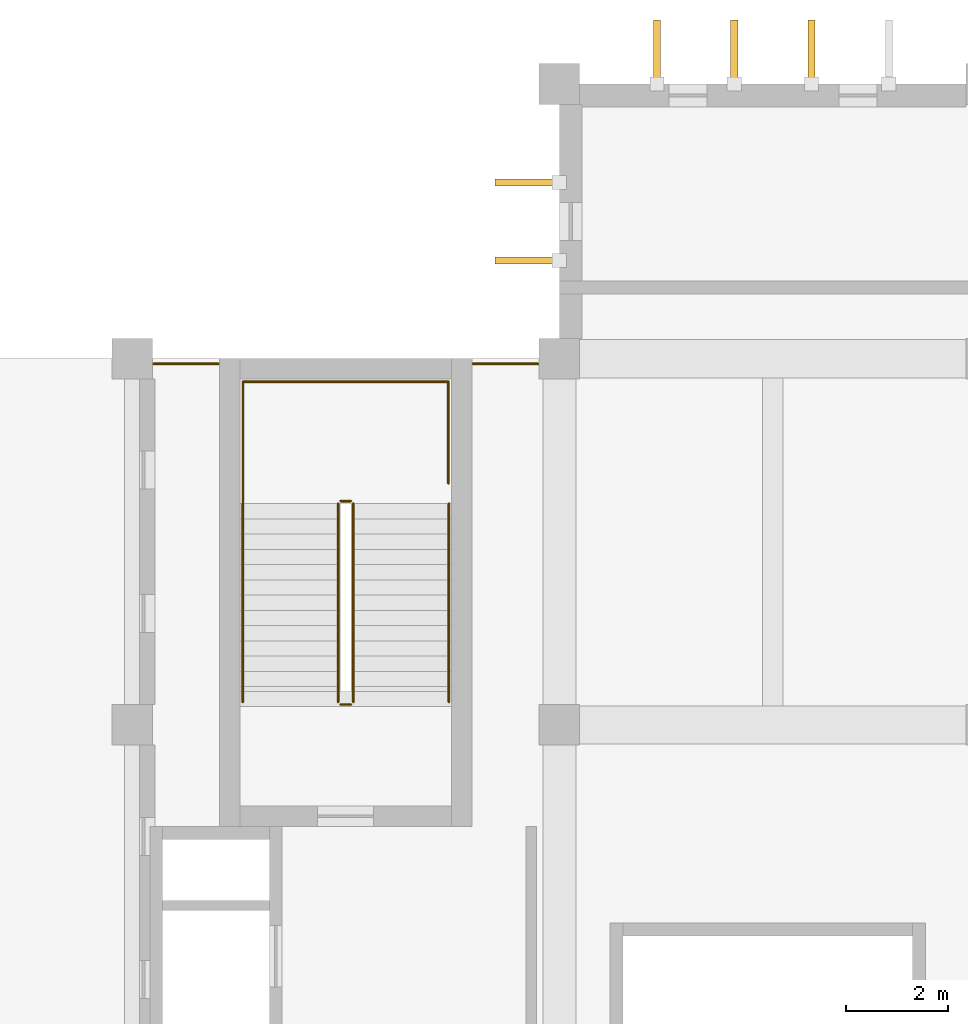
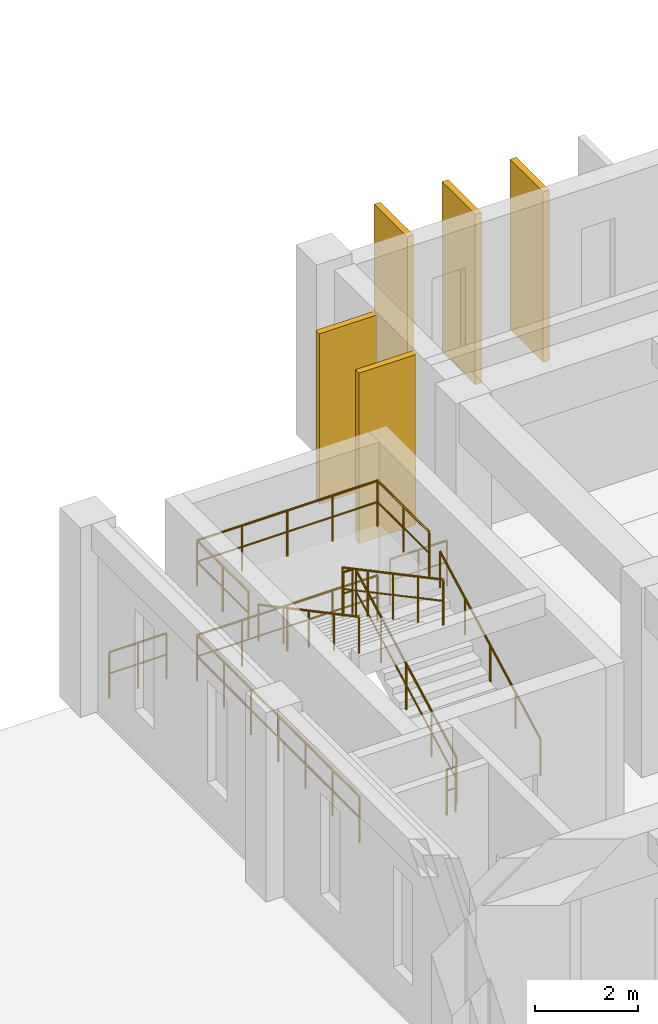
# One storey, part 37 of 40: 10 railings, 5 shading devices.
"""IFC4 building model written with IfcOpenShell, lengths in metres."""

import ifcopenshell
import ifcopenshell.guid

model = None  # the IFC model being written
_history = None  # IfcOwnerHistory: only IFC2X3 demands one
_inside = {}  # id of a spatial element -> (the spatial element, [elements in it])
_under = {}  # id of a project, library or spatial element -> (it, [spatial elements below it])
_declared = {}  # id of a project -> (the project, [libraries it declares])
_typed = {}  # id of a type object -> (the type object, [elements of that type])
_made_of = {}  # id of a material, layer set ... -> (it, [elements and type objects made of it])


def new_model(schema):
    """Start an empty IFC model of exactly this schema.

    Asked for "IFC4X3", IfcOpenShell would pick the latest addendum, in which some entities
    have other attributes; the version numbers below select the first issue.
    IFC2X3 requires an IfcOwnerHistory on every rooted entity: one is made here for all.
    """
    global model, _history
    if schema == "IFC4X3":
        model = ifcopenshell.file(schema_version=(4, 3, 0, 0))
    else:
        model = ifcopenshell.file(schema=schema)
    _inside.clear()
    _under.clear()
    _declared.clear()
    _typed.clear()
    _made_of.clear()
    _history = None
    if model.schema == "IFC2X3":
        org = make("IfcOrganization", Name="unknown")
        user = make(
            "IfcPersonAndOrganization",
            ThePerson=make("IfcPerson", FamilyName="unknown"),
            TheOrganization=org,
        )
        app = make(
            "IfcApplication",
            ApplicationDeveloper=org,
            Version="unknown",
            ApplicationFullName="unknown",
            ApplicationIdentifier="unknown",
        )
        _history = make(
            "IfcOwnerHistory",
            OwningUser=user,
            OwningApplication=app,
            ChangeAction="ADDED",
            CreationDate=0,
        )
    return model


def make(cls, **values):
    """One entity of the class cls with the attributes given. An attribute that is None is left unset."""
    return model.create_entity(
        cls, **{name: value for name, value in values.items() if value is not None}
    )


def rooted(cls, **values):
    """An entity with a GlobalId (a new one), such as an element, a storey or a relation."""
    return make(cls, GlobalId=ifcopenshell.guid.new(), OwnerHistory=_history, **values)


def si_unit(unit_type, name, prefix=None):
    """IfcSIUnit, for example si_unit("LENGTHUNIT", "METRE", prefix="MILLI")."""
    return make("IfcSIUnit", UnitType=unit_type, Prefix=prefix, Name=name)


def assignment(units):
    """IfcUnitAssignment: the units of a project."""
    return None if units is None else make("IfcUnitAssignment", Units=units)


def point(xyz):
    """IfcCartesianPoint."""
    return None if xyz is None else make("IfcCartesianPoint", Coordinates=xyz)


def direction(xyz):
    """IfcDirection."""
    return None if xyz is None else make("IfcDirection", DirectionRatios=xyz)


def frame(location, z_axis=None, x_axis=None):
    """IfcAxis2Placement3D, a coordinate frame: its origin and axes. An axis left out is left unset."""
    return make(
        "IfcAxis2Placement3D",
        Location=point(location),
        Axis=direction(z_axis),
        RefDirection=direction(x_axis),
    )


def frame_2d(location, x_axis=None):
    """IfcAxis2Placement2D, a coordinate frame in the plane: its origin and x axis."""
    return make(
        "IfcAxis2Placement2D", Location=point(location), RefDirection=direction(x_axis)
    )


def origin():
    """The frame at (0, 0, 0) with its axes left unset."""
    return frame((0.0, 0.0, 0.0))


def origin_2d():
    """The frame at (0, 0) in the plane with its x axis left unset."""
    return frame_2d((0.0, 0.0))


def place(relative_to, where):
    """IfcLocalPlacement: puts the frame where relative to a parent placement (None: the world)."""
    return make(
        "IfcLocalPlacement", PlacementRelTo=relative_to, RelativePlacement=where
    )


def context(
    kind, dimensions, precision=None, world=None, true_north=None, identifier=None
):
    """IfcGeometricRepresentationContext, for example the 3D "Model" context."""
    return make(
        "IfcGeometricRepresentationContext",
        ContextIdentifier=identifier,
        ContextType=kind,
        CoordinateSpaceDimension=dimensions,
        Precision=precision,
        WorldCoordinateSystem=world,
        TrueNorth=true_north,
    )


def subcontext(parent, identifier, kind, view, scale=None):
    """IfcGeometricRepresentationSubContext, for example "Body" below "Model"."""
    return make(
        "IfcGeometricRepresentationSubContext",
        ContextIdentifier=identifier,
        ContextType=kind,
        ParentContext=parent,
        TargetScale=scale,
        TargetView=view,
    )


def project(units=None, contexts=None):
    """IfcProject with its units and contexts."""
    return rooted(
        "IfcProject",
        Name="project",
        RepresentationContexts=contexts,
        UnitsInContext=assignment(units),
    )


def spatial(cls, under=None, at=None, **own):
    """A site, building, storey or space (cls), placed at a placement, below another one or the project."""
    s = rooted(cls, ObjectPlacement=at, **own)
    if under is not None:
        _under.setdefault(under.id(), (under, []))[1].append(s)
    return s


def profile(cls, at=None, kind="AREA", **sizes):
    """A parametric profile (cls). Its sizes go by their IFC names, for example OverallWidth=200.0."""
    return make(cls, ProfileType=kind, Position=at, **sizes)


def rectangle(**sizes):
    """IfcRectangleProfileDef."""
    return profile("IfcRectangleProfileDef", **sizes)


def circle(**sizes):
    """IfcCircleProfileDef."""
    return profile("IfcCircleProfileDef", **sizes)


def extrude(swept, where, along, depth):
    """IfcExtrudedAreaSolid: the profile swept, set in the frame where, extruded along a direction by depth."""
    return make(
        "IfcExtrudedAreaSolid",
        SweptArea=swept,
        Position=where,
        ExtrudedDirection=direction(along),
        Depth=depth,
    )


def shape(context_of_items, identifier, shape_type, items):
    """IfcShapeRepresentation: the items that make up one representation, for example the "Body"."""
    return make(
        "IfcShapeRepresentation",
        ContextOfItems=context_of_items,
        RepresentationIdentifier=identifier,
        RepresentationType=shape_type,
        Items=items,
    )


def material(Name=None, Category=None):
    """IfcMaterial."""
    return make("IfcMaterial", Name=Name, Category=Category)


def made_of(thing, what):
    """Note that an element or type object is made of a material, layer set ...; save() writes the relation."""
    if what is not None:
        _made_of.setdefault(what.id(), (what, []))[1].append(thing)
    return thing


def type_object(cls, material=None, **own):
    """A type object (cls), such as IfcWallType, which elements share."""
    return made_of(rooted(cls, **own), material)


def element(
    cls,
    number,
    at=None,
    inside=None,
    cuts=None,
    type_object=None,
    material=None,
    context=None,
    identifier="Body",
    shape_type=None,
    held_by="IfcProductDefinitionShape",
    body=None,
    shapes=None,
    **own,
):
    """One element of the class cls, such as IfcWall. Its Tag is "e" and its number.

    at: its placement. inside: the storey or other place that contains it. cuts: it is an
    opening in that element (IfcRelVoidsElement). A single representation is given by context,
    identifier, shape_type and body (its items); several are given by shapes. held_by: the class
    of the entity that holds the representations. save() writes the other relations.
    """
    e = rooted(cls, Tag="e%d" % number, ObjectPlacement=at, **own)
    if body is not None:
        shapes = [shape(context, identifier, shape_type, body)]
    if shapes is not None:
        e.Representation = make(held_by, Representations=shapes)
    if inside is not None:
        _inside.setdefault(inside.id(), (inside, []))[1].append(e)
    if cuts is not None:
        rooted(
            "IfcRelVoidsElement", RelatingBuildingElement=cuts, RelatedOpeningElement=e
        )
    if type_object is not None:
        _typed.setdefault(type_object.id(), (type_object, []))[1].append(e)
    return made_of(e, material)


def aggregate(whole, parts):
    """IfcRelAggregates: a whole, such as a stair, and the parts it consists of."""
    return rooted("IfcRelAggregates", RelatingObject=whole, RelatedObjects=parts)


def save(model, path):
    """Write the relations noted so far, then the file.

    IfcRelAggregates (storeys below a building ...), IfcRelContainedInSpatialStructure (elements
    in a storey), IfcRelDefinesByType, IfcRelAssociatesMaterial and IfcRelDeclares: one each for
    every whole, place, type object, material and project.
    """
    for whole, parts in _under.values():
        aggregate(whole, parts)
    for where, things in _inside.values():
        rooted(
            "IfcRelContainedInSpatialStructure",
            RelatedElements=things,
            RelatingStructure=where,
        )
    for kind, things in _typed.values():
        rooted("IfcRelDefinesByType", RelatedObjects=things, RelatingType=kind)
    for what, things in _made_of.values():
        rooted("IfcRelAssociatesMaterial", RelatedObjects=things, RelatingMaterial=what)
    for by, libraries in _declared.values():
        rooted("IfcRelDeclares", RelatingContext=by, RelatedDefinitions=libraries)
    model.write(path)


model = new_model("IFC4")

# Units and contexts
model_context = context("Model", 3, precision=1e-05, world=origin(), true_north=direction((0.0, 1.0)))
body_context = subcontext(model_context, "Body", "Model", "MODEL_VIEW")
ifc_project = project(units=[si_unit("LENGTHUNIT", "METRE"), si_unit("AREAUNIT", "SQUARE_METRE"), si_unit("VOLUMEUNIT", "CUBIC_METRE"), si_unit("PLANEANGLEUNIT", "RADIAN"), si_unit("MASSUNIT", "GRAM", prefix="KILO")], contexts=[model_context])

# Site, building, storey
site_placement = place(None, origin())
site = spatial("IfcSite", under=ifc_project, at=site_placement, CompositionType="ELEMENT")
building_placement = place(site_placement, origin())
building = spatial("IfcBuilding", under=site, at=building_placement, Name="Kenerak Square Central Library", CompositionType="ELEMENT")
storey_placement = place(building_placement, frame((0.0, 0.0, 14.39990234375)))
storey = spatial("IfcBuildingStorey", under=building, at=storey_placement, Name="L03", CompositionType="ELEMENT", Elevation=14.39990234375)

# Shading devices
ifc_material_1 = material(Name="White precast concrete C40/50", Category="concrete")
shading_device_type = type_object("IfcShadingDeviceType", Name="Precast Vertical Solar Fin SF-1280 C40/50", PredefinedType="USERDEFINED", material=ifc_material_1)
for number, where, z_axis, x_axis, name in (
    (1, (66.179931640625, 112.333251953125, 0.10009765625), (0.0, 0.0, 1.0), (0.0, 1.0, 0.0), "Precast Solar Fin FIN-01 L03 0235"),
    (2, (66.179931640625, 113.86669921875, 0.10009765625), (0.0, 0.0, 1.0), (0.0, 1.0, 0.0), "Precast Solar Fin FIN-01 L03 0236"),
    (3, (68.719970703125, 116.419921875, 0.10009765625), (0.0, 0.0, 1.0), (1.0, 0.0, 0.0), "Precast Solar Fin FIN-01 L03 0237"),
    (4, (70.239990234375, 116.419921875, 0.10009765625), (0.0, 0.0, 1.0), (1.0, 0.0, 0.0), "Precast Solar Fin FIN-01 L03 0238"),
    (5, (71.760009765625, 116.419921875, 0.10009765625), (0.0, 0.0, 1.0), (1.0, 0.0, 0.0), "Precast Solar Fin FIN-01 L03 0239"),
):
    element("IfcShadingDevice", number, at=place(storey_placement, frame(where, z_axis=z_axis, x_axis=x_axis)), inside=storey, type_object=shading_device_type, Name=name, ObjectType="FIN", PredefinedType="USERDEFINED", context=body_context, shape_type="SweptSolid", body=[
        extrude(rectangle(XDim=0.139892578125, YDim=1.280029296875, at=origin_2d()), origin(), (0.0, 0.0, 1.0), 4.030029296875),
    ])

# Railings
ifc_material_2 = material(Name="Steel S355", Category="steel")
railing_type_1 = type_object("IfcRailingType", Name="Safety Guardrail GR-1100 S355", PredefinedType="GUARDRAIL", material=ifc_material_2)
railing_1_placement = place(storey_placement, frame((62.75, 103.64990234375, 0.16015625)))
element("IfcRailing", 6, at=railing_1_placement, inside=storey, type_object=railing_type_1, Name="L03 ST-01 stair guard 1", PredefinedType="GUARDRAIL", context=body_context, shape_type="SweptSolid", body=[
    extrude(circle(Radius=0.02392578125, at=origin_2d()), frame((0.0, 0.0, 1.076171875), z_axis=(0.0, 0.882375874992, 0.470545231866), x_axis=(-1.0, 0.0, 0.0)), (0.0, 0.0, 1.0), 4.420166015625),
    extrude(circle(Radius=0.01806640625, at=origin_2d()), frame((0.0, 0.0, 0.572021484375), z_axis=(0.0, 0.882375874992, 0.470545231866), x_axis=(-1.0, 0.0, 0.0)), (0.0, 0.0, 1.0), 4.420166015625),
    extrude(circle(Radius=0.02099609375, at=origin_2d()), origin(), (0.0, 0.0, 1.0), 1.052001953125),
    extrude(circle(Radius=0.02099609375, at=origin_2d()), frame((0.0, 0.97509765625, 0.52001953125)), (0.0, 0.0, 1.0), 1.052001953125),
    extrude(circle(Radius=0.02099609375, at=origin_2d()), frame((0.0, 1.9501953125, 1.0400390625)), (0.0, 0.0, 1.0), 1.052001953125),
    extrude(circle(Radius=0.02099609375, at=origin_2d()), frame((0.0, 2.925048828125, 1.559814453125)), (0.0, 0.0, 1.0), 1.052001953125),
    extrude(circle(Radius=0.02099609375, at=origin_2d()), frame((0.0, 3.900146484375, 2.079833984375)), (0.0, 0.0, 1.0), 1.052001953125),
])
railing_2_placement = place(storey_placement, frame((62.699951171875, 107.60009765625, 2.239990234375)))
element("IfcRailing", 7, at=railing_2_placement, inside=storey, type_object=railing_type_1, Name="L03 ST-01 stair guard 2", PredefinedType="GUARDRAIL", context=body_context, shape_type="SweptSolid", body=[
    extrude(circle(Radius=0.02392578125, at=origin_2d()), frame((0.0, 0.0, 1.076171875), z_axis=(-1.0, 0.0, 0.0), x_axis=(0.0, -1.0, 0.0)), (0.0, 0.0, 1.0), 0.199951171875),
    extrude(circle(Radius=0.01806640625, at=origin_2d()), frame((0.0, 0.0, 0.572021484375), z_axis=(-1.0, 0.0, 0.0), x_axis=(0.0, -1.0, 0.0)), (0.0, 0.0, 1.0), 0.199951171875),
    extrude(circle(Radius=0.02099609375, at=origin_2d()), origin(), (0.0, 0.0, 1.0), 1.052001953125),
    extrude(circle(Radius=0.02099609375, at=origin_2d()), frame((-0.199951171875, 0.0, 0.0)), (0.0, 0.0, 1.0), 1.052001953125),
])
railing_3_placement = place(storey_placement, frame((62.449951171875, 107.550048828125, 2.400146484375)))
element("IfcRailing", 8, at=railing_3_placement, inside=storey, type_object=railing_type_1, Name="L03 ST-01 stair guard 3", PredefinedType="GUARDRAIL", context=body_context, shape_type="SweptSolid", body=[
    extrude(circle(Radius=0.02392578125, at=origin_2d()), frame((0.0, 0.0, 1.076171875), z_axis=(0.0, -0.882375874992, 0.470545231866), x_axis=(1.0, 0.0, 0.0)), (0.0, 0.0, 1.0), 4.420166015625),
    extrude(circle(Radius=0.01806640625, at=origin_2d()), frame((0.0, 0.0, 0.572021484375), z_axis=(0.0, -0.882375874992, 0.470545231866), x_axis=(1.0, 0.0, 0.0)), (0.0, 0.0, 1.0), 4.420166015625),
    extrude(circle(Radius=0.02099609375, at=origin_2d()), origin(), (0.0, 0.0, 1.0), 1.052001953125),
    extrude(circle(Radius=0.02099609375, at=origin_2d()), frame((0.0, -0.97509765625, 0.52001953125)), (0.0, 0.0, 1.0), 1.052001953125),
    extrude(circle(Radius=0.02099609375, at=origin_2d()), frame((0.0, -1.9501953125, 1.0400390625)), (0.0, 0.0, 1.0), 1.052001953125),
    extrude(circle(Radius=0.02099609375, at=origin_2d()), frame((0.0, -2.925048828125, 1.559814453125)), (0.0, 0.0, 1.0), 1.052001953125),
    extrude(circle(Radius=0.02099609375, at=origin_2d()), frame((0.0, -3.900146484375, 2.079833984375)), (0.0, 0.0, 1.0), 1.052001953125),
])
railing_4_placement = place(storey_placement, frame((62.699951171875, 103.60009765625, 0.0)))
element("IfcRailing", 9, at=railing_4_placement, inside=storey, type_object=railing_type_1, Name="L03 ST-01 stair guard 4", PredefinedType="GUARDRAIL", context=body_context, shape_type="SweptSolid", body=[
    extrude(circle(Radius=0.02392578125, at=origin_2d()), frame((0.0, 0.0, 1.076171875), z_axis=(-1.0, 0.0, 0.0), x_axis=(0.0, -1.0, 0.0)), (0.0, 0.0, 1.0), 0.199951171875),
    extrude(circle(Radius=0.01806640625, at=origin_2d()), frame((0.0, 0.0, 0.572021484375), z_axis=(-1.0, 0.0, 0.0), x_axis=(0.0, -1.0, 0.0)), (0.0, 0.0, 1.0), 0.199951171875),
    extrude(circle(Radius=0.02099609375, at=origin_2d()), origin(), (0.0, 0.0, 1.0), 1.052001953125),
    extrude(circle(Radius=0.02099609375, at=origin_2d()), frame((-0.199951171875, 0.0, 0.0)), (0.0, 0.0, 1.0), 1.052001953125),
])
railing_5_placement = place(storey_placement, frame((60.580078125, 107.949951171875, 2.239990234375)))
element("IfcRailing", 10, at=railing_5_placement, inside=storey, type_object=railing_type_1, Name="Stair Half-Landing Guard ST-01 L03", PredefinedType="GUARDRAIL", context=body_context, shape_type="SweptSolid", body=[
    extrude(circle(Radius=0.02392578125, at=origin_2d()), frame((0.0, 0.0, 1.076171875), z_axis=(0.0, 1.0, 0.0), x_axis=(-1.0, 0.0, 0.0)), (0.0, 0.0, 1.0), 2.0),
    extrude(circle(Radius=0.01806640625, at=origin_2d()), frame((0.0, 0.0, 0.572021484375), z_axis=(0.0, 1.0, 0.0), x_axis=(-1.0, 0.0, 0.0)), (0.0, 0.0, 1.0), 2.0),
    extrude(circle(Radius=0.02392578125, at=origin_2d()), frame((0.0, 2.0, 1.076171875), z_axis=(1.0, 0.0, 0.0), x_axis=(0.0, 1.0, 0.0)), (0.0, 0.0, 1.0), 4.0400390625),
    extrude(circle(Radius=0.01806640625, at=origin_2d()), frame((0.0, 2.0, 0.572021484375), z_axis=(1.0, 0.0, 0.0), x_axis=(0.0, 1.0, 0.0)), (0.0, 0.0, 1.0), 4.0400390625),
    extrude(circle(Radius=0.02392578125, at=origin_2d()), frame((4.0400390625, 2.0, 1.076171875), z_axis=(0.0, -1.0, 0.0), x_axis=(1.0, 0.0, 0.0)), (0.0, 0.0, 1.0), 2.0),
    extrude(circle(Radius=0.01806640625, at=origin_2d()), frame((4.0400390625, 2.0, 0.572021484375), z_axis=(0.0, -1.0, 0.0), x_axis=(1.0, 0.0, 0.0)), (0.0, 0.0, 1.0), 2.0),
    extrude(circle(Radius=0.02099609375, at=origin_2d()), origin(), (0.0, 0.0, 1.0), 1.052001953125),
    extrude(circle(Radius=0.02099609375, at=origin_2d()), frame((0.0, 1.0, 0.0)), (0.0, 0.0, 1.0), 1.052001953125),
    extrude(circle(Radius=0.02099609375, at=origin_2d()), frame((0.0, 2.0, 0.0)), (0.0, 0.0, 1.0), 1.052001953125),
    extrude(circle(Radius=0.02099609375, at=origin_2d()), frame((1.010009765625, 2.0, 0.0)), (0.0, 0.0, 1.0), 1.052001953125),
    extrude(circle(Radius=0.02099609375, at=origin_2d()), frame((2.02001953125, 2.0, 0.0)), (0.0, 0.0, 1.0), 1.052001953125),
    extrude(circle(Radius=0.02099609375, at=origin_2d()), frame((3.030029296875, 2.0, 0.0)), (0.0, 0.0, 1.0), 1.052001953125),
    extrude(circle(Radius=0.02099609375, at=origin_2d()), frame((4.0400390625, 2.0, 0.0)), (0.0, 0.0, 1.0), 1.052001953125),
    extrude(circle(Radius=0.02099609375, at=origin_2d()), frame((4.0400390625, 1.0, 0.0)), (0.0, 0.0, 1.0), 1.052001953125),
    extrude(circle(Radius=0.02099609375, at=origin_2d()), frame((4.0400390625, 0.0, 0.0)), (0.0, 0.0, 1.0), 1.052001953125),
])
railing_6_placement = place(storey_placement, frame((60.580078125, 103.64990234375, 0.0)))
element("IfcRailing", 11, at=railing_6_placement, inside=storey, type_object=railing_type_1, Name="Stair Well Floor Guard ST-01 L03", PredefinedType="GUARDRAIL", context=body_context, shape_type="SweptSolid", body=[
    extrude(circle(Radius=0.02392578125, at=origin_2d()), frame((0.0, 0.0, 1.076171875), z_axis=(0.0, 1.0, 0.0), x_axis=(-1.0, 0.0, 0.0)), (0.0, 0.0, 1.0), 6.300048828125),
    extrude(circle(Radius=0.01806640625, at=origin_2d()), frame((0.0, 0.0, 0.572021484375), z_axis=(0.0, 1.0, 0.0), x_axis=(-1.0, 0.0, 0.0)), (0.0, 0.0, 1.0), 6.300048828125),
    extrude(circle(Radius=0.02392578125, at=origin_2d()), frame((0.0, 6.300048828125, 1.076171875), z_axis=(1.0, 0.0, 0.0), x_axis=(0.0, 1.0, 0.0)), (0.0, 0.0, 1.0), 4.0400390625),
    extrude(circle(Radius=0.01806640625, at=origin_2d()), frame((0.0, 6.300048828125, 0.572021484375), z_axis=(1.0, 0.0, 0.0), x_axis=(0.0, 1.0, 0.0)), (0.0, 0.0, 1.0), 4.0400390625),
    extrude(circle(Radius=0.02099609375, at=origin_2d()), origin(), (0.0, 0.0, 1.0), 1.052001953125),
    extrude(circle(Radius=0.02099609375, at=origin_2d()), frame((0.0, 1.050048828125, 0.0)), (0.0, 0.0, 1.0), 1.052001953125),
    extrude(circle(Radius=0.02099609375, at=origin_2d()), frame((0.0, 2.10009765625, 0.0)), (0.0, 0.0, 1.0), 1.052001953125),
    extrude(circle(Radius=0.02099609375, at=origin_2d()), frame((0.0, 3.14990234375, 0.0)), (0.0, 0.0, 1.0), 1.052001953125),
    extrude(circle(Radius=0.02099609375, at=origin_2d()), frame((0.0, 4.199951171875, 0.0)), (0.0, 0.0, 1.0), 1.052001953125),
    extrude(circle(Radius=0.02099609375, at=origin_2d()), frame((0.0, 5.25, 0.0)), (0.0, 0.0, 1.0), 1.052001953125),
    extrude(circle(Radius=0.02099609375, at=origin_2d()), frame((0.0, 6.300048828125, 0.0)), (0.0, 0.0, 1.0), 1.052001953125),
    extrude(circle(Radius=0.02099609375, at=origin_2d()), frame((1.010009765625, 6.300048828125, 0.0)), (0.0, 0.0, 1.0), 1.052001953125),
    extrude(circle(Radius=0.02099609375, at=origin_2d()), frame((2.02001953125, 6.300048828125, 0.0)), (0.0, 0.0, 1.0), 1.052001953125),
    extrude(circle(Radius=0.02099609375, at=origin_2d()), frame((3.030029296875, 6.300048828125, 0.0)), (0.0, 0.0, 1.0), 1.052001953125),
    extrude(circle(Radius=0.02099609375, at=origin_2d()), frame((4.0400390625, 6.300048828125, 0.0)), (0.0, 0.0, 1.0), 1.052001953125),
])
for number, where, name in (
    (12, (58.822021484375, 110.300048828125, 0.0), "Perimeter Edge Guardrail L03 59-1"),
    (13, (65.10205078125, 110.300048828125, 0.0), "Perimeter Edge Guardrail L03 65-2"),
):
    element("IfcRailing", number, at=place(storey_placement, frame(where)), inside=storey, type_object=railing_type_1, Name=name, PredefinedType="GUARDRAIL", context=body_context, shape_type="SweptSolid", body=[
        extrude(circle(Radius=0.02392578125, at=origin_2d()), frame((0.0, 0.0, 1.076171875), z_axis=(1.0, 0.0, 0.0), x_axis=(0.0, 1.0, 0.0)), (0.0, 0.0, 1.0), 1.27587890625),
        extrude(circle(Radius=0.01806640625, at=origin_2d()), frame((0.0, 0.0, 0.572021484375), z_axis=(1.0, 0.0, 0.0), x_axis=(0.0, 1.0, 0.0)), (0.0, 0.0, 1.0), 1.27587890625),
        extrude(circle(Radius=0.02099609375, at=origin_2d()), origin(), (0.0, 0.0, 1.0), 1.052001953125),
        extrude(circle(Radius=0.02099609375, at=origin_2d()), frame((0.637939453125, 0.0, 0.0)), (0.0, 0.0, 1.0), 1.052001953125),
        extrude(circle(Radius=0.02099609375, at=origin_2d()), frame((1.27587890625, 0.0, 0.0)), (0.0, 0.0, 1.0), 1.052001953125),
    ])
railing_type_2 = type_object("IfcRailingType", Name="Stair Handrail HR-880 S355", PredefinedType="HANDRAIL", material=ifc_material_2)
railing_7_placement = place(storey_placement, frame((64.6298828125, 103.64990234375, 0.16015625)))
element("IfcRailing", 14, at=railing_7_placement, inside=storey, type_object=railing_type_2, Name="L03 ST-01 stair handrail 1", PredefinedType="HANDRAIL", context=body_context, shape_type="SweptSolid", body=[
    extrude(circle(Radius=0.02392578125, at=origin_2d()), frame((0.0, 0.0, 0.85595703125), z_axis=(0.0, 0.882375874992, 0.470545231866), x_axis=(-1.0, 0.0, 0.0)), (0.0, 0.0, 1.0), 4.420166015625),
    extrude(circle(Radius=0.02099609375, at=origin_2d()), origin(), (0.0, 0.0, 1.0), 0.831787109375),
    extrude(circle(Radius=0.02099609375, at=origin_2d()), frame((0.0, 0.97509765625, 0.52001953125)), (0.0, 0.0, 1.0), 0.831787109375),
    extrude(circle(Radius=0.02099609375, at=origin_2d()), frame((0.0, 1.9501953125, 1.0400390625)), (0.0, 0.0, 1.0), 0.831787109375),
    extrude(circle(Radius=0.02099609375, at=origin_2d()), frame((0.0, 2.925048828125, 1.559814453125)), (0.0, 0.0, 1.0), 0.831787109375),
    extrude(circle(Radius=0.02099609375, at=origin_2d()), frame((0.0, 3.900146484375, 2.079833984375)), (0.0, 0.0, 1.0), 0.831787109375),
])
railing_8_placement = place(storey_placement, frame((60.570068359375, 107.550048828125, 2.400146484375)))
element("IfcRailing", 15, at=railing_8_placement, inside=storey, type_object=railing_type_2, Name="L03 ST-01 stair handrail 2", PredefinedType="HANDRAIL", context=body_context, shape_type="SweptSolid", body=[
    extrude(circle(Radius=0.02392578125, at=origin_2d()), frame((0.0, 0.0, 0.85595703125), z_axis=(0.0, -0.882375874992, 0.470545231866), x_axis=(1.0, 0.0, 0.0)), (0.0, 0.0, 1.0), 4.420166015625),
    extrude(circle(Radius=0.02099609375, at=origin_2d()), origin(), (0.0, 0.0, 1.0), 0.831787109375),
    extrude(circle(Radius=0.02099609375, at=origin_2d()), frame((0.0, -0.97509765625, 0.52001953125)), (0.0, 0.0, 1.0), 0.831787109375),
    extrude(circle(Radius=0.02099609375, at=origin_2d()), frame((0.0, -1.9501953125, 1.0400390625)), (0.0, 0.0, 1.0), 0.831787109375),
    extrude(circle(Radius=0.02099609375, at=origin_2d()), frame((0.0, -2.925048828125, 1.559814453125)), (0.0, 0.0, 1.0), 0.831787109375),
    extrude(circle(Radius=0.02099609375, at=origin_2d()), frame((0.0, -3.900146484375, 2.079833984375)), (0.0, 0.0, 1.0), 0.831787109375),
])

save(model, "model.ifc")
